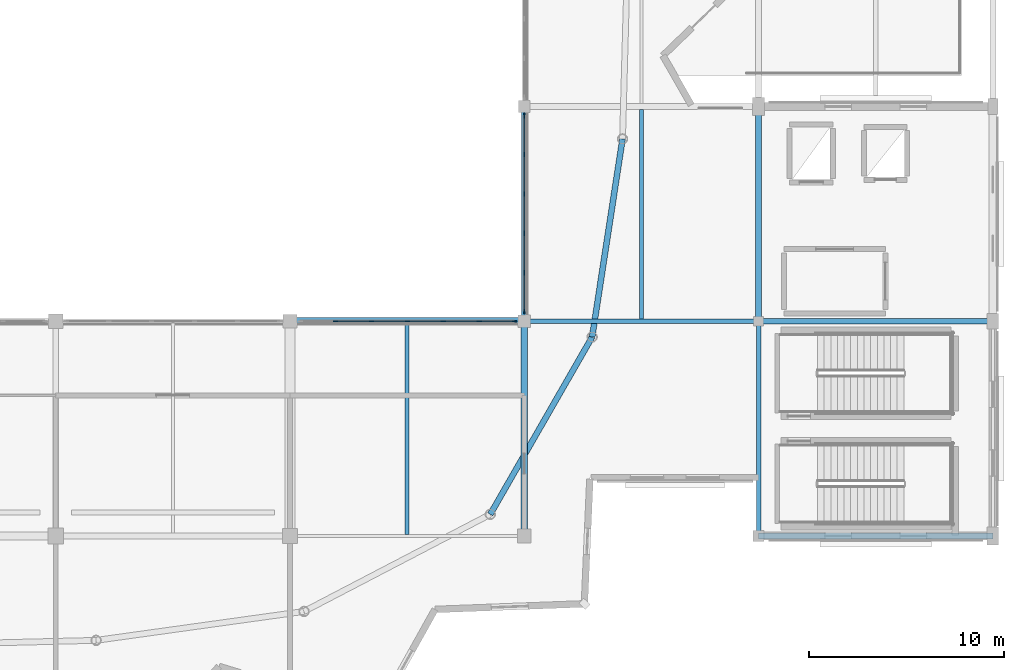
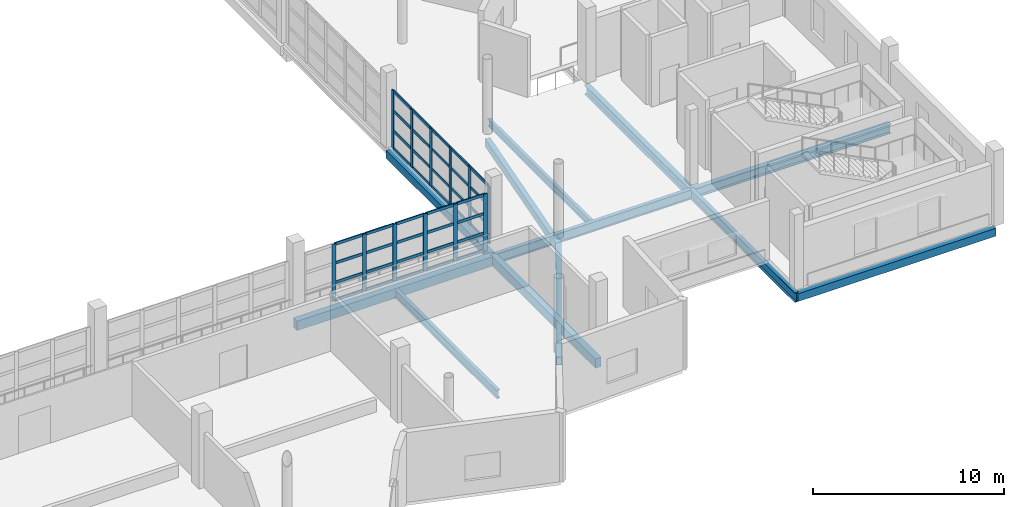
# One storey, part 18 of 53: 52 members, 12 beams, 2 elements without a shape of their own.
"""IFC4 building model written with IfcOpenShell, lengths in metres."""

from ifc_helpers import new_model, si_unit, direction, frame, origin, origin_2d, place, context, subcontext, project, spatial, rectangle, hollow_rectangle, i_section, extrude, material, material_profile, profile_set, type_object, element, aggregate, save


model = new_model("IFC4")

# Units and contexts
model_context = context("Model", 3, precision=1e-05, world=origin(), true_north=direction((0.0, 1.0)))
body_context = subcontext(model_context, "Body", "Model", "MODEL_VIEW")
ifc_project = project(units=[si_unit("LENGTHUNIT", "METRE"), si_unit("AREAUNIT", "SQUARE_METRE"), si_unit("VOLUMEUNIT", "CUBIC_METRE"), si_unit("PLANEANGLEUNIT", "RADIAN"), si_unit("MASSUNIT", "GRAM", prefix="KILO")], contexts=[model_context])

# Site, building, storey
site_placement = place(None, origin())
site = spatial("IfcSite", under=ifc_project, at=site_placement, CompositionType="ELEMENT")
building_placement = place(site_placement, origin())
building = spatial("IfcBuilding", under=site, at=building_placement, Name="Luwafu Chhajja Arena", CompositionType="ELEMENT")
storey_placement = place(building_placement, frame((0.0, 0.0, 19.5)))
storey = spatial("IfcBuildingStorey", under=building, at=storey_placement, Name="L04", CompositionType="ELEMENT", Elevation=19.5)

# Beam
ifc_material_1 = material(Name="Concrete C35/45", Category="concrete")
ifc_material_profile_1 = material_profile(ifc_material_1, rectangle(XDim=0.35009765625, YDim=0.60009765625, at=origin_2d()), Name="RC 350x600")
ifc_profile_set_1 = profile_set([ifc_material_profile_1], Name="Concrete C35/45")
beam_type_1 = type_object("IfcBeamType", Name="Arcade Tie Beam RC 350x600", PredefinedType="BEAM", material=ifc_profile_set_1)
beam_1_placement = place(storey_placement, frame((140.0, 11.0, -0.68994140625), z_axis=(0.0, 1.0, 0.0), x_axis=(-1.0, 0.0, 0.0)))
element("IfcBeam", 1, at=beam_1_placement, inside=storey, type_object=beam_type_1, Name="L04 Grid Beam 13/B-C", PredefinedType="BEAM", context=body_context, shape_type="SweptSolid", body=[
    extrude(rectangle(XDim=0.35009765625, YDim=0.60009765625, at=origin_2d()), origin(), (0.0, 0.0, 1.0), 11.0),
])

# Curtain wall, members
ifc_material_2 = material(Name="Anodised bronze aluminium", Category="aluminium")
curtain_wall_type = type_object("IfcCurtainWallType", Name="Media Ribbon Curtain Wall", PredefinedType="USERDEFINED", material=ifc_material_2)
curtain_wall_1_placement = place(storey_placement, origin())
curtain_wall_1 = element("IfcCurtainWall", 2, at=curtain_wall_1_placement, inside=storey, type_object=curtain_wall_type, Name="L04 Bowl Viewing Curtain Wall CWR-L04-07", ObjectType="CURTAIN WALL", PredefinedType="USERDEFINED")
ifc_material_profile_2 = material_profile(ifc_material_2, rectangle(XDim=0.070068359375, YDim=0.239990234375, at=origin_2d()), Name="CWM 70x240")
ifc_profile_set_2 = profile_set([ifc_material_profile_2], Name="Anodised bronze aluminium")
member_type_1 = type_object("IfcMemberType", Name="Bronze Curtain Wall Mullion 70x240", PredefinedType="MULLION", material=ifc_profile_set_2)
member_1_placement = place(storey_placement, frame((130.330810546875, 22.0, 0.0), z_axis=(0.0, 0.0, 1.0), x_axis=(0.0, 1.0, 0.0)))
member_1 = element("IfcMember", 3, at=member_1_placement, type_object=member_type_1, Name="CW-03 mullion 2", PredefinedType="MULLION", context=body_context, shape_type="SweptSolid", body=[
    extrude(rectangle(XDim=0.070068359375, YDim=0.239990234375, at=origin_2d()), origin(), (0.0, 0.0, 1.0), 3.639892578125),
])
member_2_placement = place(storey_placement, frame((132.171630859375, 22.0, 0.0), z_axis=(0.0, 0.0, 1.0), x_axis=(0.0, 1.0, 0.0)))
member_2 = element("IfcMember", 4, at=member_2_placement, type_object=member_type_1, Name="CW-03 mullion 3", PredefinedType="MULLION", context=body_context, shape_type="SweptSolid", body=[
    extrude(rectangle(XDim=0.070068359375, YDim=0.239990234375, at=origin_2d()), origin(), (0.0, 0.0, 1.0), 3.639892578125),
])
member_3_placement = place(storey_placement, frame((134.012451171875, 22.0, 0.0), z_axis=(0.0, 0.0, 1.0), x_axis=(0.0, 1.0, 0.0)))
member_3 = element("IfcMember", 5, at=member_3_placement, type_object=member_type_1, Name="CW-03 mullion 4", PredefinedType="MULLION", context=body_context, shape_type="SweptSolid", body=[
    extrude(rectangle(XDim=0.070068359375, YDim=0.239990234375, at=origin_2d()), origin(), (0.0, 0.0, 1.0), 3.639892578125),
])
member_4_placement = place(storey_placement, frame((135.853271484375, 22.0, 0.0), z_axis=(0.0, 0.0, 1.0), x_axis=(0.0, 1.0, 0.0)))
member_4 = element("IfcMember", 6, at=member_4_placement, type_object=member_type_1, Name="CW-03 mullion 5", PredefinedType="MULLION", context=body_context, shape_type="SweptSolid", body=[
    extrude(rectangle(XDim=0.070068359375, YDim=0.239990234375, at=origin_2d()), origin(), (0.0, 0.0, 1.0), 3.639892578125),
])
member_5_placement = place(storey_placement, frame((137.694091796875, 22.0, 0.0), z_axis=(0.0, 0.0, 1.0), x_axis=(0.0, 1.0, 0.0)))
member_5 = element("IfcMember", 7, at=member_5_placement, type_object=member_type_1, Name="CW-03 mullion 6", PredefinedType="MULLION", context=body_context, shape_type="SweptSolid", body=[
    extrude(rectangle(XDim=0.070068359375, YDim=0.239990234375, at=origin_2d()), origin(), (0.0, 0.0, 1.0), 3.639892578125),
])
member_6_placement = place(storey_placement, frame((139.5, 22.0, 0.0), z_axis=(0.0, 0.0, 1.0), x_axis=(0.0, 1.0, 0.0)))
member_6 = element("IfcMember", 8, at=member_6_placement, type_object=member_type_1, Name="CW-03 mullion 7", PredefinedType="MULLION", context=body_context, shape_type="SweptSolid", body=[
    extrude(rectangle(XDim=0.070068359375, YDim=0.239990234375, at=origin_2d()), origin(), (0.0, 0.0, 1.0), 3.639892578125),
])

curtain_wall_2_placement = place(storey_placement, origin())
curtain_wall_2 = element("IfcCurtainWall", 9, at=curtain_wall_2_placement, inside=storey, type_object=curtain_wall_type, Name="L04 Bowl Viewing Curtain Wall CWR-L04-20", ObjectType="CURTAIN WALL", PredefinedType="USERDEFINED")
member_7_placement = place(storey_placement, frame((140.0, 22.5, 0.0), z_axis=(0.0, 0.0, 1.0), x_axis=(-1.0, 0.0, 0.0)))
member_7 = element("IfcMember", 10, at=member_7_placement, type_object=member_type_1, Name="CW-03 mullion 1", PredefinedType="MULLION", context=body_context, shape_type="SweptSolid", body=[
    extrude(rectangle(XDim=0.070068359375, YDim=0.239990234375, at=origin_2d()), origin(), (0.0, 0.0, 1.0), 3.70654296875),
])
member_8_placement = place(storey_placement, frame((140.0, 24.48388671875, 0.0), z_axis=(0.0, 0.0, 1.0), x_axis=(-1.0, 0.0, 0.0)))
member_8 = element("IfcMember", 11, at=member_8_placement, type_object=member_type_1, Name="CW-03 mullion 2", PredefinedType="MULLION", context=body_context, shape_type="SweptSolid", body=[
    extrude(rectangle(XDim=0.070068359375, YDim=0.239990234375, at=origin_2d()), origin(), (0.0, 0.0, 1.0), 3.70654296875),
])
member_9_placement = place(storey_placement, frame((140.0, 26.5029296875, 0.0), z_axis=(0.0, 0.0, 1.0), x_axis=(-1.0, 0.0, 0.0)))
member_9 = element("IfcMember", 12, at=member_9_placement, type_object=member_type_1, Name="CW-03 mullion 3", PredefinedType="MULLION", context=body_context, shape_type="SweptSolid", body=[
    extrude(rectangle(XDim=0.070068359375, YDim=0.239990234375, at=origin_2d()), origin(), (0.0, 0.0, 1.0), 3.70654296875),
])
member_10_placement = place(storey_placement, frame((140.0, 28.52197265625, 0.0), z_axis=(0.0, 0.0, 1.0), x_axis=(-1.0, 0.0, 0.0)))
member_10 = element("IfcMember", 13, at=member_10_placement, type_object=member_type_1, Name="CW-03 mullion 4", PredefinedType="MULLION", context=body_context, shape_type="SweptSolid", body=[
    extrude(rectangle(XDim=0.070068359375, YDim=0.239990234375, at=origin_2d()), origin(), (0.0, 0.0, 1.0), 3.70654296875),
])
member_11_placement = place(storey_placement, frame((140.0, 30.541015625, 0.0), z_axis=(0.0, 0.0, 1.0), x_axis=(-1.0, 0.0, 0.0)))
member_11 = element("IfcMember", 14, at=member_11_placement, type_object=member_type_1, Name="CW-03 mullion 5", PredefinedType="MULLION", context=body_context, shape_type="SweptSolid", body=[
    extrude(rectangle(XDim=0.070068359375, YDim=0.239990234375, at=origin_2d()), origin(), (0.0, 0.0, 1.0), 3.70654296875),
])
member_12_placement = place(storey_placement, frame((140.0, 32.52490234375, 0.0), z_axis=(0.0, 0.0, 1.0), x_axis=(-1.0, 0.0, 0.0)))
member_12 = element("IfcMember", 15, at=member_12_placement, type_object=member_type_1, Name="CW-03 mullion 6", PredefinedType="MULLION", context=body_context, shape_type="SweptSolid", body=[
    extrude(rectangle(XDim=0.070068359375, YDim=0.239990234375, at=origin_2d()), origin(), (0.0, 0.0, 1.0), 3.70654296875),
])

# Member
ifc_material_profile_3 = material_profile(ifc_material_2, rectangle(XDim=0.070068359375, YDim=0.179931640625, at=origin_2d()), Name="CWT 70x180")
ifc_profile_set_3 = profile_set([ifc_material_profile_3], Name="Anodised bronze aluminium")
member_type_2 = type_object("IfcMemberType", Name="Bronze Curtain Wall Transom 70x180", PredefinedType="USERDEFINED", material=ifc_profile_set_3)
member_13_placement = place(storey_placement, frame((130.36572265625, 22.0, 0.034912109375), z_axis=(1.0, 0.0, 0.0), x_axis=(0.0, 1.0, 0.0)))
member_13 = element("IfcMember", 16, at=member_13_placement, type_object=member_type_2, Name="CW-03 transom 2.1", ObjectType="TRANSOM", PredefinedType="USERDEFINED", context=body_context, shape_type="SweptSolid", body=[
    extrude(rectangle(XDim=0.070068359375, YDim=0.179931640625, at=origin_2d()), origin(), (0.0, 0.0, 1.0), 1.77099609375),
])

member_14_placement = place(storey_placement, frame((130.36572265625, 22.0, 1.14990234375), z_axis=(1.0, 0.0, 0.0), x_axis=(0.0, 1.0, 0.0)))
member_14 = element("IfcMember", 17, at=member_14_placement, type_object=member_type_2, Name="CW-03 transom 2.2", ObjectType="TRANSOM", PredefinedType="USERDEFINED", context=body_context, shape_type="SweptSolid", body=[
    extrude(rectangle(XDim=0.070068359375, YDim=0.179931640625, at=origin_2d()), origin(), (0.0, 0.0, 1.0), 1.77099609375),
])

member_15_placement = place(storey_placement, frame((130.36572265625, 22.0, 2.39501953125), z_axis=(1.0, 0.0, 0.0), x_axis=(0.0, 1.0, 0.0)))
member_15 = element("IfcMember", 18, at=member_15_placement, type_object=member_type_2, Name="CW-03 transom 2.3", ObjectType="TRANSOM", PredefinedType="USERDEFINED", context=body_context, shape_type="SweptSolid", body=[
    extrude(rectangle(XDim=0.070068359375, YDim=0.179931640625, at=origin_2d()), origin(), (0.0, 0.0, 1.0), 1.77099609375),
])

member_16_placement = place(storey_placement, frame((130.36572265625, 22.0, 3.60498046875), z_axis=(1.0, 0.0, 0.0), x_axis=(0.0, 1.0, 0.0)))
member_16 = element("IfcMember", 19, at=member_16_placement, type_object=member_type_2, Name="CW-03 transom 2.4", ObjectType="TRANSOM", PredefinedType="USERDEFINED", context=body_context, shape_type="SweptSolid", body=[
    extrude(rectangle(XDim=0.070068359375, YDim=0.179931640625, at=origin_2d()), origin(), (0.0, 0.0, 1.0), 1.77099609375),
])

member_17_placement = place(storey_placement, frame((132.206787109375, 22.0, 0.034912109375), z_axis=(1.0, 0.0, 0.0), x_axis=(0.0, 1.0, 0.0)))
member_17 = element("IfcMember", 20, at=member_17_placement, type_object=member_type_2, Name="CW-03 transom 3.1", ObjectType="TRANSOM", PredefinedType="USERDEFINED", context=body_context, shape_type="SweptSolid", body=[
    extrude(rectangle(XDim=0.070068359375, YDim=0.179931640625, at=origin_2d()), origin(), (0.0, 0.0, 1.0), 1.770751953125),
])

member_18_placement = place(storey_placement, frame((132.206787109375, 22.0, 1.14990234375), z_axis=(1.0, 0.0, 0.0), x_axis=(0.0, 1.0, 0.0)))
member_18 = element("IfcMember", 21, at=member_18_placement, type_object=member_type_2, Name="CW-03 transom 3.2", ObjectType="TRANSOM", PredefinedType="USERDEFINED", context=body_context, shape_type="SweptSolid", body=[
    extrude(rectangle(XDim=0.070068359375, YDim=0.179931640625, at=origin_2d()), origin(), (0.0, 0.0, 1.0), 1.770751953125),
])

member_19_placement = place(storey_placement, frame((132.206787109375, 22.0, 2.39501953125), z_axis=(1.0, 0.0, 0.0), x_axis=(0.0, 1.0, 0.0)))
member_19 = element("IfcMember", 22, at=member_19_placement, type_object=member_type_2, Name="CW-03 transom 3.3", ObjectType="TRANSOM", PredefinedType="USERDEFINED", context=body_context, shape_type="SweptSolid", body=[
    extrude(rectangle(XDim=0.070068359375, YDim=0.179931640625, at=origin_2d()), origin(), (0.0, 0.0, 1.0), 1.770751953125),
])

member_20_placement = place(storey_placement, frame((132.206787109375, 22.0, 3.60498046875), z_axis=(1.0, 0.0, 0.0), x_axis=(0.0, 1.0, 0.0)))
member_20 = element("IfcMember", 23, at=member_20_placement, type_object=member_type_2, Name="CW-03 transom 3.4", ObjectType="TRANSOM", PredefinedType="USERDEFINED", context=body_context, shape_type="SweptSolid", body=[
    extrude(rectangle(XDim=0.070068359375, YDim=0.179931640625, at=origin_2d()), origin(), (0.0, 0.0, 1.0), 1.770751953125),
])

member_21_placement = place(storey_placement, frame((134.047607421875, 22.0, 0.034912109375), z_axis=(1.0, 0.0, 0.0), x_axis=(0.0, 1.0, 0.0)))
member_21 = element("IfcMember", 24, at=member_21_placement, type_object=member_type_2, Name="CW-03 transom 4.1", ObjectType="TRANSOM", PredefinedType="USERDEFINED", context=body_context, shape_type="SweptSolid", body=[
    extrude(rectangle(XDim=0.070068359375, YDim=0.179931640625, at=origin_2d()), origin(), (0.0, 0.0, 1.0), 1.770751953125),
])

member_22_placement = place(storey_placement, frame((134.047607421875, 22.0, 1.14990234375), z_axis=(1.0, 0.0, 0.0), x_axis=(0.0, 1.0, 0.0)))
member_22 = element("IfcMember", 25, at=member_22_placement, type_object=member_type_2, Name="CW-03 transom 4.2", ObjectType="TRANSOM", PredefinedType="USERDEFINED", context=body_context, shape_type="SweptSolid", body=[
    extrude(rectangle(XDim=0.070068359375, YDim=0.179931640625, at=origin_2d()), origin(), (0.0, 0.0, 1.0), 1.770751953125),
])

member_23_placement = place(storey_placement, frame((134.047607421875, 22.0, 2.39501953125), z_axis=(1.0, 0.0, 0.0), x_axis=(0.0, 1.0, 0.0)))
member_23 = element("IfcMember", 26, at=member_23_placement, type_object=member_type_2, Name="CW-03 transom 4.3", ObjectType="TRANSOM", PredefinedType="USERDEFINED", context=body_context, shape_type="SweptSolid", body=[
    extrude(rectangle(XDim=0.070068359375, YDim=0.179931640625, at=origin_2d()), origin(), (0.0, 0.0, 1.0), 1.770751953125),
])

member_24_placement = place(storey_placement, frame((134.047607421875, 22.0, 3.60498046875), z_axis=(1.0, 0.0, 0.0), x_axis=(0.0, 1.0, 0.0)))
member_24 = element("IfcMember", 27, at=member_24_placement, type_object=member_type_2, Name="CW-03 transom 4.4", ObjectType="TRANSOM", PredefinedType="USERDEFINED", context=body_context, shape_type="SweptSolid", body=[
    extrude(rectangle(XDim=0.070068359375, YDim=0.179931640625, at=origin_2d()), origin(), (0.0, 0.0, 1.0), 1.770751953125),
])

member_25_placement = place(storey_placement, frame((135.888427734375, 22.0, 0.034912109375), z_axis=(1.0, 0.0, 0.0), x_axis=(0.0, 1.0, 0.0)))
member_25 = element("IfcMember", 28, at=member_25_placement, type_object=member_type_2, Name="CW-03 transom 5.1", ObjectType="TRANSOM", PredefinedType="USERDEFINED", context=body_context, shape_type="SweptSolid", body=[
    extrude(rectangle(XDim=0.070068359375, YDim=0.179931640625, at=origin_2d()), origin(), (0.0, 0.0, 1.0), 1.770751953125),
])

member_26_placement = place(storey_placement, frame((135.888427734375, 22.0, 1.14990234375), z_axis=(1.0, 0.0, 0.0), x_axis=(0.0, 1.0, 0.0)))
member_26 = element("IfcMember", 29, at=member_26_placement, type_object=member_type_2, Name="CW-03 transom 5.2", ObjectType="TRANSOM", PredefinedType="USERDEFINED", context=body_context, shape_type="SweptSolid", body=[
    extrude(rectangle(XDim=0.070068359375, YDim=0.179931640625, at=origin_2d()), origin(), (0.0, 0.0, 1.0), 1.770751953125),
])

member_27_placement = place(storey_placement, frame((135.888427734375, 22.0, 2.39501953125), z_axis=(1.0, 0.0, 0.0), x_axis=(0.0, 1.0, 0.0)))
member_27 = element("IfcMember", 30, at=member_27_placement, type_object=member_type_2, Name="CW-03 transom 5.3", ObjectType="TRANSOM", PredefinedType="USERDEFINED", context=body_context, shape_type="SweptSolid", body=[
    extrude(rectangle(XDim=0.070068359375, YDim=0.179931640625, at=origin_2d()), origin(), (0.0, 0.0, 1.0), 1.770751953125),
])

member_28_placement = place(storey_placement, frame((135.888427734375, 22.0, 3.60498046875), z_axis=(1.0, 0.0, 0.0), x_axis=(0.0, 1.0, 0.0)))
member_28 = element("IfcMember", 31, at=member_28_placement, type_object=member_type_2, Name="CW-03 transom 5.4", ObjectType="TRANSOM", PredefinedType="USERDEFINED", context=body_context, shape_type="SweptSolid", body=[
    extrude(rectangle(XDim=0.070068359375, YDim=0.179931640625, at=origin_2d()), origin(), (0.0, 0.0, 1.0), 1.770751953125),
])

member_29_placement = place(storey_placement, frame((137.729248046875, 22.0, 0.034912109375), z_axis=(1.0, 0.0, 0.0), x_axis=(0.0, 1.0, 0.0)))
member_29 = element("IfcMember", 32, at=member_29_placement, type_object=member_type_2, Name="CW-03 transom 6.1", ObjectType="TRANSOM", PredefinedType="USERDEFINED", context=body_context, shape_type="SweptSolid", body=[
    extrude(rectangle(XDim=0.070068359375, YDim=0.179931640625, at=origin_2d()), origin(), (0.0, 0.0, 1.0), 1.73583984375),
])

member_30_placement = place(storey_placement, frame((137.729248046875, 22.0, 1.14990234375), z_axis=(1.0, 0.0, 0.0), x_axis=(0.0, 1.0, 0.0)))
member_30 = element("IfcMember", 33, at=member_30_placement, type_object=member_type_2, Name="CW-03 transom 6.2", ObjectType="TRANSOM", PredefinedType="USERDEFINED", context=body_context, shape_type="SweptSolid", body=[
    extrude(rectangle(XDim=0.070068359375, YDim=0.179931640625, at=origin_2d()), origin(), (0.0, 0.0, 1.0), 1.73583984375),
])

member_31_placement = place(storey_placement, frame((137.729248046875, 22.0, 2.39501953125), z_axis=(1.0, 0.0, 0.0), x_axis=(0.0, 1.0, 0.0)))
member_31 = element("IfcMember", 34, at=member_31_placement, type_object=member_type_2, Name="CW-03 transom 6.3", ObjectType="TRANSOM", PredefinedType="USERDEFINED", context=body_context, shape_type="SweptSolid", body=[
    extrude(rectangle(XDim=0.070068359375, YDim=0.179931640625, at=origin_2d()), origin(), (0.0, 0.0, 1.0), 1.73583984375),
])

member_32_placement = place(storey_placement, frame((137.729248046875, 22.0, 3.60498046875), z_axis=(1.0, 0.0, 0.0), x_axis=(0.0, 1.0, 0.0)))
member_32 = element("IfcMember", 35, at=member_32_placement, type_object=member_type_2, Name="CW-03 transom 6.4", ObjectType="TRANSOM", PredefinedType="USERDEFINED", context=body_context, shape_type="SweptSolid", body=[
    extrude(rectangle(XDim=0.070068359375, YDim=0.179931640625, at=origin_2d()), origin(), (0.0, 0.0, 1.0), 1.73583984375),
])

aggregate(curtain_wall_1, [member_1, member_2, member_3, member_4, member_5, member_6, member_13, member_14, member_15, member_16, member_17, member_18, member_19, member_20, member_21, member_22, member_23, member_24, member_25, member_26, member_27, member_28, member_29, member_30, member_31, member_32])

member_33_placement = place(storey_placement, frame((140.0, 22.534912109375, 0.034912109375), z_axis=(0.0, 1.0, 0.0), x_axis=(-1.0, 0.0, 0.0)))
member_33 = element("IfcMember", 36, at=member_33_placement, type_object=member_type_2, Name="CW-03 transom 1.1", ObjectType="TRANSOM", PredefinedType="USERDEFINED", context=body_context, shape_type="SweptSolid", body=[
    extrude(rectangle(XDim=0.070068359375, YDim=0.179931640625, at=origin_2d()), origin(), (0.0, 0.0, 1.0), 1.9140625),
])

member_34_placement = place(storey_placement, frame((140.0, 22.534912109375, 1.14990234375), z_axis=(0.0, 1.0, 0.0), x_axis=(-1.0, 0.0, 0.0)))
member_34 = element("IfcMember", 37, at=member_34_placement, type_object=member_type_2, Name="CW-03 transom 1.2", ObjectType="TRANSOM", PredefinedType="USERDEFINED", context=body_context, shape_type="SweptSolid", body=[
    extrude(rectangle(XDim=0.070068359375, YDim=0.179931640625, at=origin_2d()), origin(), (0.0, 0.0, 1.0), 1.9140625),
])

member_35_placement = place(storey_placement, frame((140.0, 22.534912109375, 2.42822265625), z_axis=(0.0, 1.0, 0.0), x_axis=(-1.0, 0.0, 0.0)))
member_35 = element("IfcMember", 38, at=member_35_placement, type_object=member_type_2, Name="CW-03 transom 1.3", ObjectType="TRANSOM", PredefinedType="USERDEFINED", context=body_context, shape_type="SweptSolid", body=[
    extrude(rectangle(XDim=0.070068359375, YDim=0.179931640625, at=origin_2d()), origin(), (0.0, 0.0, 1.0), 1.9140625),
])

member_36_placement = place(storey_placement, frame((140.0, 22.534912109375, 3.67138671875), z_axis=(0.0, 1.0, 0.0), x_axis=(-1.0, 0.0, 0.0)))
member_36 = element("IfcMember", 39, at=member_36_placement, type_object=member_type_2, Name="CW-03 transom 1.4", ObjectType="TRANSOM", PredefinedType="USERDEFINED", context=body_context, shape_type="SweptSolid", body=[
    extrude(rectangle(XDim=0.070068359375, YDim=0.179931640625, at=origin_2d()), origin(), (0.0, 0.0, 1.0), 1.9140625),
])

member_37_placement = place(storey_placement, frame((140.0, 24.51904296875, 0.034912109375), z_axis=(0.0, 1.0, 0.0), x_axis=(-1.0, 0.0, 0.0)))
member_37 = element("IfcMember", 40, at=member_37_placement, type_object=member_type_2, Name="CW-03 transom 2.1", ObjectType="TRANSOM", PredefinedType="USERDEFINED", context=body_context, shape_type="SweptSolid", body=[
    extrude(rectangle(XDim=0.070068359375, YDim=0.179931640625, at=origin_2d()), origin(), (0.0, 0.0, 1.0), 1.948974609375),
])

member_38_placement = place(storey_placement, frame((140.0, 24.51904296875, 1.14990234375), z_axis=(0.0, 1.0, 0.0), x_axis=(-1.0, 0.0, 0.0)))
member_38 = element("IfcMember", 41, at=member_38_placement, type_object=member_type_2, Name="CW-03 transom 2.2", ObjectType="TRANSOM", PredefinedType="USERDEFINED", context=body_context, shape_type="SweptSolid", body=[
    extrude(rectangle(XDim=0.070068359375, YDim=0.179931640625, at=origin_2d()), origin(), (0.0, 0.0, 1.0), 1.948974609375),
])

member_39_placement = place(storey_placement, frame((140.0, 24.51904296875, 2.42822265625), z_axis=(0.0, 1.0, 0.0), x_axis=(-1.0, 0.0, 0.0)))
member_39 = element("IfcMember", 42, at=member_39_placement, type_object=member_type_2, Name="CW-03 transom 2.3", ObjectType="TRANSOM", PredefinedType="USERDEFINED", context=body_context, shape_type="SweptSolid", body=[
    extrude(rectangle(XDim=0.070068359375, YDim=0.179931640625, at=origin_2d()), origin(), (0.0, 0.0, 1.0), 1.948974609375),
])

member_40_placement = place(storey_placement, frame((140.0, 24.51904296875, 3.67138671875), z_axis=(0.0, 1.0, 0.0), x_axis=(-1.0, 0.0, 0.0)))
member_40 = element("IfcMember", 43, at=member_40_placement, type_object=member_type_2, Name="CW-03 transom 2.4", ObjectType="TRANSOM", PredefinedType="USERDEFINED", context=body_context, shape_type="SweptSolid", body=[
    extrude(rectangle(XDim=0.070068359375, YDim=0.179931640625, at=origin_2d()), origin(), (0.0, 0.0, 1.0), 1.948974609375),
])

member_41_placement = place(storey_placement, frame((140.0, 26.5380859375, 0.034912109375), z_axis=(0.0, 1.0, 0.0), x_axis=(-1.0, 0.0, 0.0)))
member_41 = element("IfcMember", 44, at=member_41_placement, type_object=member_type_2, Name="CW-03 transom 3.1", ObjectType="TRANSOM", PredefinedType="USERDEFINED", context=body_context, shape_type="SweptSolid", body=[
    extrude(rectangle(XDim=0.070068359375, YDim=0.179931640625, at=origin_2d()), origin(), (0.0, 0.0, 1.0), 1.948974609375),
])

member_42_placement = place(storey_placement, frame((140.0, 26.5380859375, 1.14990234375), z_axis=(0.0, 1.0, 0.0), x_axis=(-1.0, 0.0, 0.0)))
member_42 = element("IfcMember", 45, at=member_42_placement, type_object=member_type_2, Name="CW-03 transom 3.2", ObjectType="TRANSOM", PredefinedType="USERDEFINED", context=body_context, shape_type="SweptSolid", body=[
    extrude(rectangle(XDim=0.070068359375, YDim=0.179931640625, at=origin_2d()), origin(), (0.0, 0.0, 1.0), 1.948974609375),
])

member_43_placement = place(storey_placement, frame((140.0, 26.5380859375, 2.42822265625), z_axis=(0.0, 1.0, 0.0), x_axis=(-1.0, 0.0, 0.0)))
member_43 = element("IfcMember", 46, at=member_43_placement, type_object=member_type_2, Name="CW-03 transom 3.3", ObjectType="TRANSOM", PredefinedType="USERDEFINED", context=body_context, shape_type="SweptSolid", body=[
    extrude(rectangle(XDim=0.070068359375, YDim=0.179931640625, at=origin_2d()), origin(), (0.0, 0.0, 1.0), 1.948974609375),
])

member_44_placement = place(storey_placement, frame((140.0, 26.5380859375, 3.67138671875), z_axis=(0.0, 1.0, 0.0), x_axis=(-1.0, 0.0, 0.0)))
member_44 = element("IfcMember", 47, at=member_44_placement, type_object=member_type_2, Name="CW-03 transom 3.4", ObjectType="TRANSOM", PredefinedType="USERDEFINED", context=body_context, shape_type="SweptSolid", body=[
    extrude(rectangle(XDim=0.070068359375, YDim=0.179931640625, at=origin_2d()), origin(), (0.0, 0.0, 1.0), 1.948974609375),
])

member_45_placement = place(storey_placement, frame((140.0, 28.556884765625, 0.034912109375), z_axis=(0.0, 1.0, 0.0), x_axis=(-1.0, 0.0, 0.0)))
member_45 = element("IfcMember", 48, at=member_45_placement, type_object=member_type_2, Name="CW-03 transom 4.1", ObjectType="TRANSOM", PredefinedType="USERDEFINED", context=body_context, shape_type="SweptSolid", body=[
    extrude(rectangle(XDim=0.070068359375, YDim=0.179931640625, at=origin_2d()), origin(), (0.0, 0.0, 1.0), 1.94921875),
])

member_46_placement = place(storey_placement, frame((140.0, 28.556884765625, 1.14990234375), z_axis=(0.0, 1.0, 0.0), x_axis=(-1.0, 0.0, 0.0)))
member_46 = element("IfcMember", 49, at=member_46_placement, type_object=member_type_2, Name="CW-03 transom 4.2", ObjectType="TRANSOM", PredefinedType="USERDEFINED", context=body_context, shape_type="SweptSolid", body=[
    extrude(rectangle(XDim=0.070068359375, YDim=0.179931640625, at=origin_2d()), origin(), (0.0, 0.0, 1.0), 1.94921875),
])

member_47_placement = place(storey_placement, frame((140.0, 28.556884765625, 2.42822265625), z_axis=(0.0, 1.0, 0.0), x_axis=(-1.0, 0.0, 0.0)))
member_47 = element("IfcMember", 50, at=member_47_placement, type_object=member_type_2, Name="CW-03 transom 4.3", ObjectType="TRANSOM", PredefinedType="USERDEFINED", context=body_context, shape_type="SweptSolid", body=[
    extrude(rectangle(XDim=0.070068359375, YDim=0.179931640625, at=origin_2d()), origin(), (0.0, 0.0, 1.0), 1.94921875),
])

member_48_placement = place(storey_placement, frame((140.0, 28.556884765625, 3.67138671875), z_axis=(0.0, 1.0, 0.0), x_axis=(-1.0, 0.0, 0.0)))
member_48 = element("IfcMember", 51, at=member_48_placement, type_object=member_type_2, Name="CW-03 transom 4.4", ObjectType="TRANSOM", PredefinedType="USERDEFINED", context=body_context, shape_type="SweptSolid", body=[
    extrude(rectangle(XDim=0.070068359375, YDim=0.179931640625, at=origin_2d()), origin(), (0.0, 0.0, 1.0), 1.94921875),
])

member_49_placement = place(storey_placement, frame((140.0, 30.575927734375, 0.034912109375), z_axis=(0.0, 1.0, 0.0), x_axis=(-1.0, 0.0, 0.0)))
member_49 = element("IfcMember", 52, at=member_49_placement, type_object=member_type_2, Name="CW-03 transom 5.1", ObjectType="TRANSOM", PredefinedType="USERDEFINED", context=body_context, shape_type="SweptSolid", body=[
    extrude(rectangle(XDim=0.070068359375, YDim=0.179931640625, at=origin_2d()), origin(), (0.0, 0.0, 1.0), 1.9140625),
])

member_50_placement = place(storey_placement, frame((140.0, 30.575927734375, 1.14990234375), z_axis=(0.0, 1.0, 0.0), x_axis=(-1.0, 0.0, 0.0)))
member_50 = element("IfcMember", 53, at=member_50_placement, type_object=member_type_2, Name="CW-03 transom 5.2", ObjectType="TRANSOM", PredefinedType="USERDEFINED", context=body_context, shape_type="SweptSolid", body=[
    extrude(rectangle(XDim=0.070068359375, YDim=0.179931640625, at=origin_2d()), origin(), (0.0, 0.0, 1.0), 1.9140625),
])

member_51_placement = place(storey_placement, frame((140.0, 30.575927734375, 2.42822265625), z_axis=(0.0, 1.0, 0.0), x_axis=(-1.0, 0.0, 0.0)))
member_51 = element("IfcMember", 54, at=member_51_placement, type_object=member_type_2, Name="CW-03 transom 5.3", ObjectType="TRANSOM", PredefinedType="USERDEFINED", context=body_context, shape_type="SweptSolid", body=[
    extrude(rectangle(XDim=0.070068359375, YDim=0.179931640625, at=origin_2d()), origin(), (0.0, 0.0, 1.0), 1.9140625),
])

member_52_placement = place(storey_placement, frame((140.0, 30.575927734375, 3.67138671875), z_axis=(0.0, 1.0, 0.0), x_axis=(-1.0, 0.0, 0.0)))
member_52 = element("IfcMember", 55, at=member_52_placement, type_object=member_type_2, Name="CW-03 transom 5.4", ObjectType="TRANSOM", PredefinedType="USERDEFINED", context=body_context, shape_type="SweptSolid", body=[
    extrude(rectangle(XDim=0.070068359375, YDim=0.179931640625, at=origin_2d()), origin(), (0.0, 0.0, 1.0), 1.9140625),
])

aggregate(curtain_wall_2, [member_7, member_8, member_9, member_10, member_11, member_12, member_33, member_34, member_35, member_36, member_37, member_38, member_39, member_40, member_41, member_42, member_43, member_44, member_45, member_46, member_47, member_48, member_49, member_50, member_51, member_52])

# Beams
ifc_material_3 = material(Name="Steel S355", Category="steel")
ifc_material_profile_4 = material_profile(ifc_material_3, i_section(OverallWidth=0.19140625, OverallDepth=0.4599609375, WebThickness=0.010009765625, FlangeThickness=0.01611328125, at=origin_2d()), Name="UB 457x191x82")
ifc_profile_set_4 = profile_set([ifc_material_profile_4], Name="Steel S355")
beam_type_2 = type_object("IfcBeamType", Name="Floor Joist UB 457x191x82", PredefinedType="JOIST", material=ifc_profile_set_4)
beam_2_placement = place(storey_placement, frame((146.0, 22.114501953125, -0.6201171875), z_axis=(0.0, 1.0, 0.0), x_axis=(-1.0, 0.0, 0.0)))
element("IfcBeam", 56, at=beam_2_placement, inside=storey, type_object=beam_type_2, Name="L04 Secondary Joist 13-14/C", PredefinedType="JOIST", context=body_context, shape_type="SweptSolid", body=[
    extrude(i_section(OverallWidth=0.19140625, OverallDepth=0.4599609375, WebThickness=0.010009765625, FlangeThickness=0.01611328125, at=origin_2d()), origin(), (0.0, 0.0, 1.0), 10.735595703125),
])
ifc_material_profile_5 = material_profile(ifc_material_3, i_section(OverallWidth=0.2099609375, OverallDepth=0.53662109375, WebThickness=0.0107421875, FlangeThickness=0.017333984375, at=origin_2d()), Name="UB 533x210x101")
ifc_profile_set_5 = profile_set([ifc_material_profile_5], Name="Steel S355")
beam_type_3 = type_object("IfcBeamType", Name="Floor Joist UB 533x210x101", PredefinedType="JOIST", material=ifc_profile_set_5)
beam_3_placement = place(storey_placement, frame((134.0, 11.0830078125, -0.658447265625), z_axis=(0.0, 1.0, 0.0), x_axis=(-1.0, 0.0, 0.0)))
element("IfcBeam", 57, at=beam_3_placement, inside=storey, type_object=beam_type_3, Name="L04 Secondary Joist 12-13/B", PredefinedType="JOIST", context=body_context, shape_type="SweptSolid", body=[
    extrude(i_section(OverallWidth=0.2099609375, OverallDepth=0.53662109375, WebThickness=0.0107421875, FlangeThickness=0.017333984375, at=origin_2d()), origin(), (0.0, 0.0, 1.0), 10.717041015625),
])
ifc_material_profile_6 = material_profile(ifc_material_3, hollow_rectangle(XDim=0.300048828125, YDim=0.5, WallThickness=0.02001953125, at=origin_2d()), Name="RHS 500x300x20")
ifc_profile_set_6 = profile_set([ifc_material_profile_6], Name="Steel S355")
beam_type_4 = type_object("IfcBeamType", Name="Pleated Drum Spandrel Beam RHS 500x300", PredefinedType="SPANDREL", material=ifc_profile_set_6)
beam_4_placement = place(storey_placement, frame((152.0, 11.0, -0.639892578125), z_axis=(1.0, 0.0, 0.0), x_axis=(0.0, 1.0, 0.0)))
element("IfcBeam", 58, at=beam_4_placement, inside=storey, type_object=beam_type_4, Name="L04 Grid Beam 14-15/B", PredefinedType="SPANDREL", context=body_context, shape_type="SweptSolid", body=[
    extrude(hollow_rectangle(XDim=0.300048828125, YDim=0.5, WallThickness=0.02001953125, at=origin_2d()), origin(), (0.0, 0.0, 1.0), 12.0),
])
beam_5_placement = place(storey_placement, frame((140.0, 22.0, -0.639892578125), z_axis=(0.0, 1.0, 0.0), x_axis=(-1.0, 0.0, 0.0)))
element("IfcBeam", 59, at=beam_5_placement, inside=storey, type_object=beam_type_4, Name="L04 Grid Beam 13/C-D", PredefinedType="SPANDREL", context=body_context, shape_type="SweptSolid", body=[
    extrude(hollow_rectangle(XDim=0.300048828125, YDim=0.5, WallThickness=0.02001953125, at=origin_2d()), origin(), (0.0, 0.0, 1.0), 11.0),
])
beam_6_placement = place(storey_placement, frame((138.256103515625, 12.109130859375, -0.639892578125), z_axis=(0.498192671921, 0.867066353657, 0.0), x_axis=(-0.867066353657, 0.498192671921, 0.0)))
element("IfcBeam", 60, at=beam_6_placement, inside=storey, type_object=beam_type_4, Name="L04 Drum Ring Spandrel D29-D30", PredefinedType="SPANDREL", context=body_context, shape_type="SweptSolid", body=[
    extrude(hollow_rectangle(XDim=0.300048828125, YDim=0.5, WallThickness=0.02001953125, at=origin_2d()), origin(), (0.0, 0.0, 1.0), 10.477783203125),
])
beam_7_placement = place(storey_placement, frame((143.47607421875, 21.194091796875, -0.639892578125), z_axis=(0.1515977802, 0.988442265911, 0.0), x_axis=(-0.988442265911, 0.1515977802, 0.0)))
element("IfcBeam", 61, at=beam_7_placement, inside=storey, type_object=beam_type_4, Name="L04 Drum Ring Spandrel D30-D31", PredefinedType="SPANDREL", context=body_context, shape_type="SweptSolid", body=[
    extrude(hollow_rectangle(XDim=0.300048828125, YDim=0.5, WallThickness=0.02001953125, at=origin_2d()), origin(), (0.0, 0.0, 1.0), 10.263427734375),
])
ifc_material_profile_7 = material_profile(ifc_material_1, rectangle(XDim=0.39990234375, YDim=0.60009765625, at=origin_2d()), Name="RC 400x600")
ifc_profile_set_7 = profile_set([ifc_material_profile_7], Name="Concrete C35/45")
beam_type_5 = type_object("IfcBeamType", Name="Podium Perimeter Spandrel RC 400x600", PredefinedType="SPANDREL", material=ifc_profile_set_7)
beam_8_placement = place(storey_placement, frame((128.0, 22.0, -0.68994140625), z_axis=(1.0, 0.0, 0.0), x_axis=(0.0, 1.0, 0.0)))
element("IfcBeam", 62, at=beam_8_placement, inside=storey, type_object=beam_type_5, Name="L04 Grid Beam 12-13/C", PredefinedType="SPANDREL", context=body_context, shape_type="SweptSolid", body=[
    extrude(rectangle(XDim=0.39990234375, YDim=0.60009765625, at=origin_2d()), origin(), (0.0, 0.0, 1.0), 12.0),
])
ifc_material_profile_8 = material_profile(ifc_material_3, i_section(OverallWidth=0.300048828125, OverallDepth=0.60009765625, WebThickness=0.015380859375, FlangeThickness=0.030029296875, at=origin_2d()), Name="HEB 600")
ifc_profile_set_8 = profile_set([ifc_material_profile_8], Name="Steel S355")
beam_type_6 = type_object("IfcBeamType", Name="Steel Gallery Girder HEB 600", PredefinedType="BEAM", material=ifc_profile_set_8)
beam_9_placement = place(storey_placement, frame((152.0, 22.0, -0.68994140625), z_axis=(1.0, 0.0, 0.0), x_axis=(0.0, 1.0, 0.0)))
element("IfcBeam", 63, at=beam_9_placement, inside=storey, type_object=beam_type_6, Name="L04 Grid Beam 14-15/C", PredefinedType="BEAM", context=body_context, shape_type="SweptSolid", body=[
    extrude(i_section(OverallWidth=0.300048828125, OverallDepth=0.60009765625, WebThickness=0.015380859375, FlangeThickness=0.030029296875, at=origin_2d()), origin(), (0.0, 0.0, 1.0), 12.0),
])
beam_10_placement = place(storey_placement, frame((152.0, 22.0, -0.68994140625), z_axis=(0.0, 1.0, 0.0), x_axis=(-1.0, 0.0, 0.0)))
element("IfcBeam", 64, at=beam_10_placement, inside=storey, type_object=beam_type_6, Name="L04 Grid Beam 14/C-D", PredefinedType="BEAM", context=body_context, shape_type="SweptSolid", body=[
    extrude(i_section(OverallWidth=0.300048828125, OverallDepth=0.60009765625, WebThickness=0.015380859375, FlangeThickness=0.030029296875, at=origin_2d()), origin(), (0.0, 0.0, 1.0), 11.0),
])
ifc_material_profile_9 = material_profile(ifc_material_3, i_section(OverallWidth=0.22900390625, OverallDepth=0.6123046875, WebThickness=0.011962890625, FlangeThickness=0.01953125, at=origin_2d()), Name="UB 610x229x125")
ifc_profile_set_9 = profile_set([ifc_material_profile_9], Name="Steel S355")
beam_type_7 = type_object("IfcBeamType", Name="Steel Mezzanine Girder UB 610x229x125", PredefinedType="BEAM", material=ifc_profile_set_9)
beam_11_placement = place(storey_placement, frame((140.0, 22.0, -0.696044921875), z_axis=(1.0, 0.0, 0.0), x_axis=(0.0, 1.0, 0.0)))
element("IfcBeam", 65, at=beam_11_placement, inside=storey, type_object=beam_type_7, Name="L04 Grid Beam 13-14/C", PredefinedType="BEAM", context=body_context, shape_type="SweptSolid", body=[
    extrude(i_section(OverallWidth=0.22900390625, OverallDepth=0.6123046875, WebThickness=0.011962890625, FlangeThickness=0.01953125, at=origin_2d()), origin(), (0.0, 0.0, 1.0), 12.0),
])
beam_12_placement = place(storey_placement, frame((152.0, 11.0, -0.696044921875), z_axis=(0.0, 1.0, 0.0), x_axis=(-1.0, 0.0, 0.0)))
element("IfcBeam", 66, at=beam_12_placement, inside=storey, type_object=beam_type_7, Name="L04 Grid Beam 14/B-C", PredefinedType="BEAM", context=body_context, shape_type="SweptSolid", body=[
    extrude(i_section(OverallWidth=0.22900390625, OverallDepth=0.6123046875, WebThickness=0.011962890625, FlangeThickness=0.01953125, at=origin_2d()), origin(), (0.0, 0.0, 1.0), 11.0),
])

save(model, "model.ifc")
